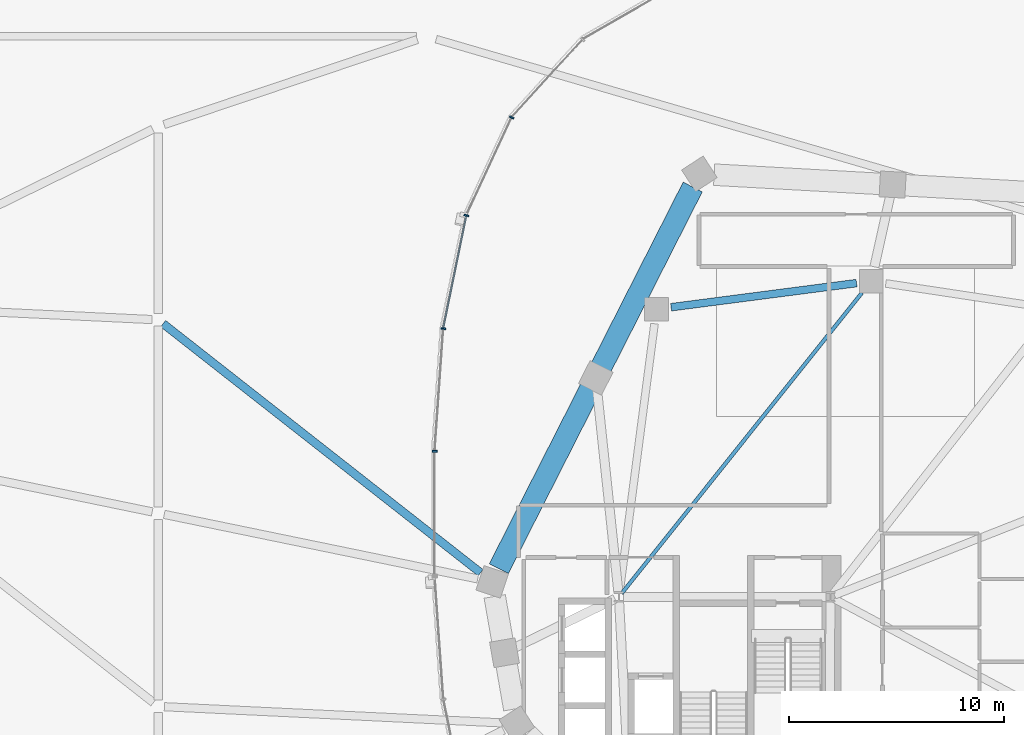
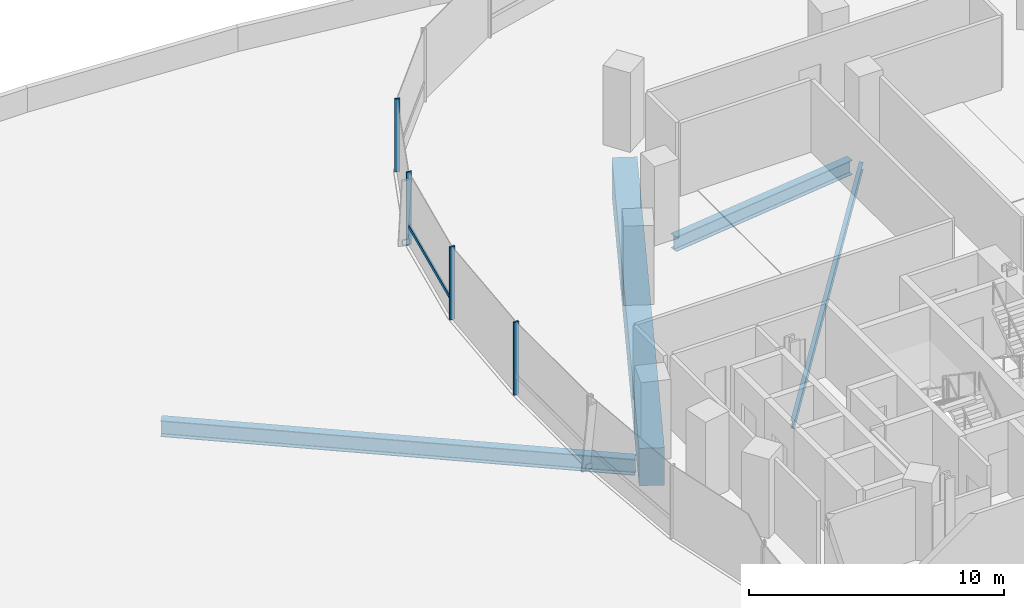
# One storey, part 13 of 28: 5 members, 4 beams, 1 element without a shape of its own.
"""IFC4 building model written with IfcOpenShell, lengths in metres."""

from ifc_helpers import new_model, si_unit, direction, frame, origin, origin_2d, place, context, subcontext, project, spatial, rectangle, i_section, extrude, material, material_profile, profile_set, type_object, element, aggregate, save


model = new_model("IFC4")

# Units and contexts
model_context = context("Model", 3, precision=1e-05, world=origin(), true_north=direction((0.0, 1.0)))
body_context = subcontext(model_context, "Body", "Model", "MODEL_VIEW")
ifc_project = project(units=[si_unit("LENGTHUNIT", "METRE"), si_unit("AREAUNIT", "SQUARE_METRE"), si_unit("VOLUMEUNIT", "CUBIC_METRE"), si_unit("PLANEANGLEUNIT", "RADIAN"), si_unit("MASSUNIT", "GRAM", prefix="KILO"), si_unit("THERMODYNAMICTEMPERATUREUNIT", "KELVIN"), si_unit("POWERUNIT", "WATT")], contexts=[model_context])

# Site, building, storey
site_placement = place(None, origin())
site = spatial("IfcSite", under=ifc_project, at=site_placement, CompositionType="ELEMENT")
building_placement = place(site_placement, origin())
building = spatial("IfcBuilding", under=site, at=building_placement, Name="Cundina Bronze Exchange", CompositionType="ELEMENT")
storey_placement = place(building_placement, frame((0.0, 0.0, 24.0)))
storey = spatial("IfcBuildingStorey", under=building, at=storey_placement, Name="L05", CompositionType="ELEMENT", Elevation=24.0)

# Beams
ifc_material_1 = material(Name="Steel ASTM A992 Grade 50", Category="steel")
ifc_material_profile_1 = material_profile(ifc_material_1, i_section(OverallWidth=0.172119140625, OverallDepth=0.35791015625, WebThickness=0.0078125, FlangeThickness=0.01318359375, FilletRadius=0.010009765625, at=origin_2d()), Name="W14X38", Category="steel")
ifc_profile_set_1 = profile_set([ifc_material_profile_1], Name="Steel ASTM A992 Grade 50")
beam_type_1 = type_object("IfcBeamType", Name="BM-JST-W14", PredefinedType="JOIST", material=ifc_profile_set_1)
beam_1_placement = place(storey_placement, frame((21.577392578125, -3.740478515625, -0.47900390625), z_axis=(0.624374458297, 0.781125172957, 0.0), x_axis=(-0.781125172957, 0.624374458297, 0.0)))
element("IfcBeam", 1, at=beam_1_placement, inside=storey, type_object=beam_type_1, Name="L05 E Interior Core-to-Ring Joist 2", PredefinedType="JOIST", context=body_context, shape_type="SweptSolid", body=[
    extrude(i_section(OverallWidth=0.172119140625, OverallDepth=0.35791015625, WebThickness=0.0078125, FlangeThickness=0.01318359375, FilletRadius=0.010009765625, at=origin_2d()), origin(), (0.0, 0.0, 1.0), 17.927001953125),
])
ifc_material_profile_2 = material_profile(ifc_material_1, i_section(OverallWidth=0.35498046875, OverallDepth=0.695068359375, WebThickness=0.015380859375, FlangeThickness=0.02490234375, FilletRadius=0.01806640625, at=origin_2d()), Name="W27X146", Category="steel")
ifc_profile_set_2 = profile_set([ifc_material_profile_2], Name="Steel ASTM A992 Grade 50")
beam_type_2 = type_object("IfcBeamType", Name="BM-RING-W27", PredefinedType="USERDEFINED", material=ifc_profile_set_2)
beam_2_placement = place(storey_placement, frame((32.517578125, 10.711181640625, -0.6474609375), z_axis=(-0.991655975758, -0.128912473185, 0.0), x_axis=(0.128912473185, -0.991655975758, 0.0)))
element("IfcBeam", 2, at=beam_2_placement, inside=storey, type_object=beam_type_2, Name="L05 E Inner Structural Ring Girder 06", ObjectType="GIRDER", PredefinedType="USERDEFINED", context=body_context, shape_type="SweptSolid", body=[
    extrude(i_section(OverallWidth=0.35498046875, OverallDepth=0.695068359375, WebThickness=0.015380859375, FlangeThickness=0.02490234375, FilletRadius=0.01806640625, at=origin_2d()), origin(), (0.0, 0.0, 1.0), 8.7080078125),
])
ifc_material_profile_3 = material_profile(ifc_material_1, i_section(OverallWidth=0.381103515625, OverallDepth=0.77294921875, WebThickness=0.0166015625, FlangeThickness=0.027099609375, FilletRadius=0.01904296875, at=origin_2d()), Name="W30X173", Category="steel")
ifc_profile_set_3 = profile_set([ifc_material_profile_3], Name="Steel ASTM A992 Grade 50")
beam_type_3 = type_object("IfcBeamType", Name="BM-RING-W30", PredefinedType="USERDEFINED", material=ifc_profile_set_3)
beam_3_placement = place(storey_placement, frame((0.2265625, 8.822265625, -0.69140625), z_axis=(0.786756409396, -0.617263600316, 0.0), x_axis=(0.617263600316, 0.786756409396, 0.0)))
element("IfcBeam", 3, at=beam_3_placement, inside=storey, type_object=beam_type_3, Name="L05 Concourse East Span Girder 04", ObjectType="GIRDER", PredefinedType="USERDEFINED", context=body_context, shape_type="SweptSolid", body=[
    extrude(i_section(OverallWidth=0.381103515625, OverallDepth=0.77294921875, WebThickness=0.0166015625, FlangeThickness=0.027099609375, FilletRadius=0.01904296875, at=origin_2d()), origin(), (0.0, 0.0, 1.0), 18.788818359375),
])
ifc_material_2 = material(Name="Concrete C60/75", Category="concrete")
ifc_material_profile_4 = material_profile(ifc_material_2, rectangle(XDim=1.0, YDim=1.800048828125, at=origin_2d()), Name="RC1000X1800", Category="concrete")
ifc_profile_set_4 = profile_set([ifc_material_profile_4], Name="Concrete C60/75")
beam_type_4 = type_object("IfcBeamType", Name="BM-XFER-RC1800", PredefinedType="USERDEFINED", material=ifc_profile_set_4)
beam_4_placement = place(storey_placement, frame((24.888427734375, 15.1865234375, -1.199951171875), z_axis=(-0.452833622724, -0.891595037072, 0.0), x_axis=(0.891595037072, -0.452833622724, 0.0)))
element("IfcBeam", 4, at=beam_4_placement, inside=storey, type_object=beam_type_4, Name="L05 E Podium Perimeter Transfer Girder 12", ObjectType="GIRDER", PredefinedType="USERDEFINED", context=body_context, shape_type="SweptSolid", body=[
    extrude(rectangle(XDim=1.0, YDim=1.800048828125, at=origin_2d()), origin(), (0.0, 0.0, 1.0), 19.93408203125),
])

# Curtain wall, members
ifc_material_3 = material(Name="Anodised Bronze Aluminium 6063-T6", Category="aluminium")
curtain_wall_type = type_object("IfcCurtainWallType", Name="CWS-TRD-LOW", PredefinedType="NOTDEFINED", material=ifc_material_3)
curtain_wall_placement = place(storey_placement, origin())
curtain_wall = element("IfcCurtainWall", 5, at=curtain_wall_placement, inside=storey, type_object=curtain_wall_type, Name="L05 CW-02 Curtain Wall Run CWR-L05-E2", PredefinedType="NOTDEFINED")
ifc_material_profile_5 = material_profile(ifc_material_3, rectangle(XDim=0.074951171875, YDim=0.219970703125, at=origin_2d()), Name="AL75X220", Category="aluminium")
ifc_profile_set_5 = profile_set([ifc_material_profile_5], Name="Anodised Bronze Aluminium 6063-T6")
member_type_1 = type_object("IfcMemberType", Name="CWM-MUL-220", PredefinedType="MULLION", material=ifc_profile_set_5)
member_1_placement = place(storey_placement, frame((16.455810546875, 18.423583984375, 0.0), z_axis=(0.0, 0.0, 1.0), x_axis=(-0.42087749791, -0.907117485088, 0.0)))
member_1 = element("IfcMember", 6, at=member_1_placement, type_object=member_type_1, Name="CW-02 Mullion 4", PredefinedType="MULLION", context=body_context, shape_type="SweptSolid", body=[
    extrude(rectangle(XDim=0.074951171875, YDim=0.219970703125, at=origin_2d()), origin(), (0.0, 0.0, 1.0), 3.5),
])
member_2_placement = place(storey_placement, frame((14.348876953125, 13.861328125, 0.0), z_axis=(0.0, 0.0, 1.0), x_axis=(-0.201419845156, -0.979505000486, 0.0)))
member_2 = element("IfcMember", 7, at=member_2_placement, type_object=member_type_1, Name="CW-02 Mullion 5", PredefinedType="MULLION", context=body_context, shape_type="SweptSolid", body=[
    extrude(rectangle(XDim=0.074951171875, YDim=0.219970703125, at=origin_2d()), origin(), (0.0, 0.0, 1.0), 3.5),
])
member_3_placement = place(storey_placement, frame((13.27099609375, 8.591552734375, 0.0), z_axis=(0.0, 0.0, 1.0), x_axis=(-0.070278787473, -0.997527389113, 0.0)))
member_3 = element("IfcMember", 8, at=member_3_placement, type_object=member_type_1, Name="CW-02 Mullion 6", PredefinedType="MULLION", context=body_context, shape_type="SweptSolid", body=[
    extrude(rectangle(XDim=0.074951171875, YDim=0.219970703125, at=origin_2d()), origin(), (0.0, 0.0, 1.0), 3.5),
])
member_4_placement = place(storey_placement, frame((12.8720703125, 2.880615234375, 0.0), z_axis=(0.0, 0.0, 1.0), x_axis=(0.0, -1.0, 0.0)))
member_4 = element("IfcMember", 9, at=member_4_placement, type_object=member_type_1, Name="CW-02 Mullion 7", PredefinedType="MULLION", context=body_context, shape_type="SweptSolid", body=[
    extrude(rectangle(XDim=0.074951171875, YDim=0.219970703125, at=origin_2d()), origin(), (0.0, 0.0, 1.0), 3.5),
])
ifc_material_profile_6 = material_profile(ifc_material_3, rectangle(XDim=0.070068359375, YDim=0.179931640625, at=origin_2d()), Name="AL70X180", Category="aluminium")
ifc_profile_set_6 = profile_set([ifc_material_profile_6], Name="Anodised Bronze Aluminium 6063-T6")
member_type_2 = type_object("IfcMemberType", Name="CWM-TRN-180", PredefinedType="USERDEFINED", material=ifc_profile_set_6)
member_5_placement = place(storey_placement, frame((14.340576171875, 13.821044921875, 0.919921875), z_axis=(-0.201427712708, -0.979503382615, 0.0), x_axis=(0.979503382615, -0.201427712708, 0.0)))
member_5 = element("IfcMember", 10, at=member_5_placement, type_object=member_type_2, Name="CW-02 Spandrel Transom 5", ObjectType="TRANSOM", PredefinedType="USERDEFINED", context=body_context, shape_type="SweptSolid", body=[
    extrude(rectangle(XDim=0.070068359375, YDim=0.179931640625, at=origin_2d()), origin(), (0.0, 0.0, 1.0), 5.291748046875),
])
aggregate(curtain_wall, [member_1, member_2, member_5, member_3, member_4])

save(model, "model.ifc")
